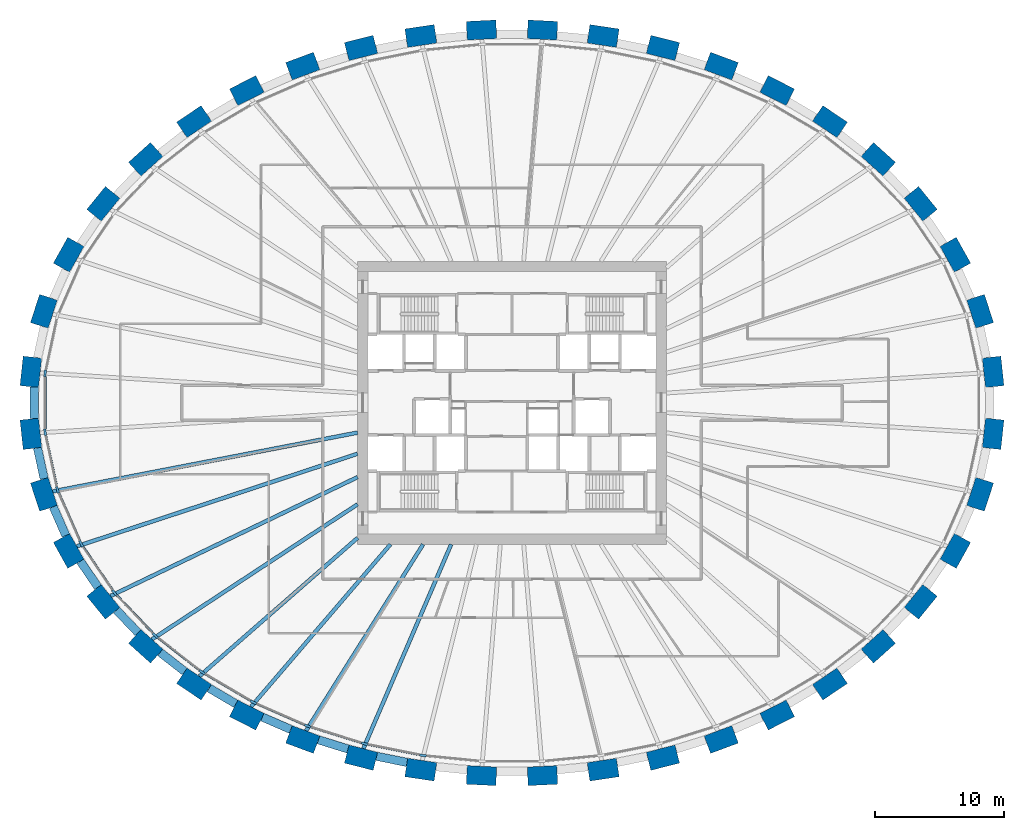
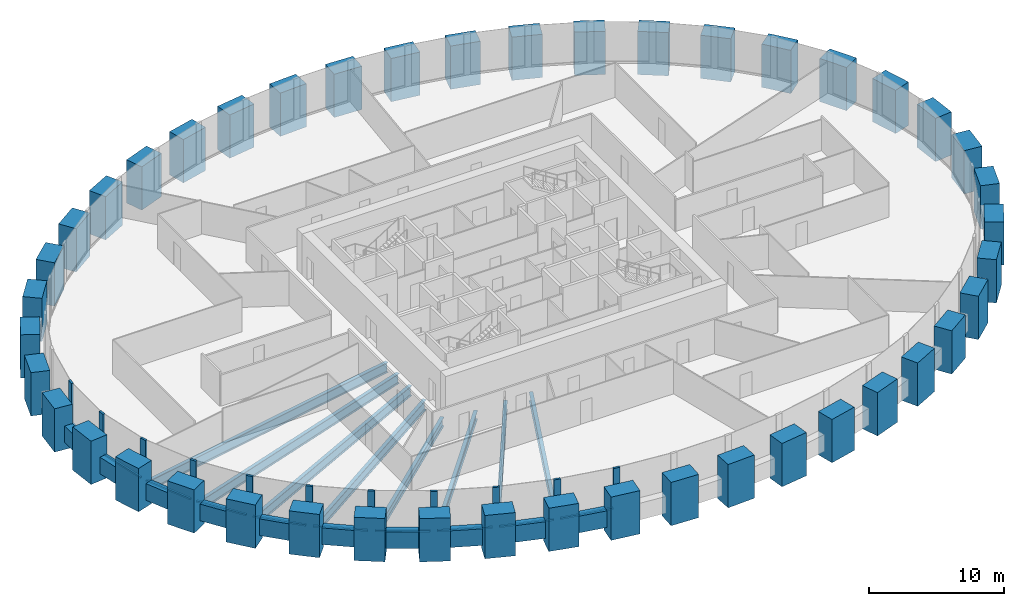
# One storey, part 1 of 10: 44 columns, 21 members, 18 beams, 1 element without a shape of its own.
"""IFC4 building model written with IfcOpenShell, lengths in metres."""

import ifcopenshell
import ifcopenshell.guid

model = None  # the IFC model being written
_history = None  # IfcOwnerHistory: only IFC2X3 demands one
_inside = {}  # id of a spatial element -> (the spatial element, [elements in it])
_under = {}  # id of a project, library or spatial element -> (it, [spatial elements below it])
_declared = {}  # id of a project -> (the project, [libraries it declares])
_typed = {}  # id of a type object -> (the type object, [elements of that type])
_made_of = {}  # id of a material, layer set ... -> (it, [elements and type objects made of it])


def new_model(schema):
    """Start an empty IFC model of exactly this schema.

    Asked for "IFC4X3", IfcOpenShell would pick the latest addendum, in which some entities
    have other attributes; the version numbers below select the first issue.
    IFC2X3 requires an IfcOwnerHistory on every rooted entity: one is made here for all.
    """
    global model, _history
    if schema == "IFC4X3":
        model = ifcopenshell.file(schema_version=(4, 3, 0, 0))
    else:
        model = ifcopenshell.file(schema=schema)
    _inside.clear()
    _under.clear()
    _declared.clear()
    _typed.clear()
    _made_of.clear()
    _history = None
    if model.schema == "IFC2X3":
        org = make("IfcOrganization", Name="unknown")
        user = make(
            "IfcPersonAndOrganization",
            ThePerson=make("IfcPerson", FamilyName="unknown"),
            TheOrganization=org,
        )
        app = make(
            "IfcApplication",
            ApplicationDeveloper=org,
            Version="unknown",
            ApplicationFullName="unknown",
            ApplicationIdentifier="unknown",
        )
        _history = make(
            "IfcOwnerHistory",
            OwningUser=user,
            OwningApplication=app,
            ChangeAction="ADDED",
            CreationDate=0,
        )
    return model


def make(cls, **values):
    """One entity of the class cls with the attributes given. An attribute that is None is left unset."""
    return model.create_entity(
        cls, **{name: value for name, value in values.items() if value is not None}
    )


def rooted(cls, **values):
    """An entity with a GlobalId (a new one), such as an element, a storey or a relation."""
    return make(cls, GlobalId=ifcopenshell.guid.new(), OwnerHistory=_history, **values)


def si_unit(unit_type, name, prefix=None):
    """IfcSIUnit, for example si_unit("LENGTHUNIT", "METRE", prefix="MILLI")."""
    return make("IfcSIUnit", UnitType=unit_type, Prefix=prefix, Name=name)


def assignment(units):
    """IfcUnitAssignment: the units of a project."""
    return None if units is None else make("IfcUnitAssignment", Units=units)


def point(xyz):
    """IfcCartesianPoint."""
    return None if xyz is None else make("IfcCartesianPoint", Coordinates=xyz)


def direction(xyz):
    """IfcDirection."""
    return None if xyz is None else make("IfcDirection", DirectionRatios=xyz)


def frame(location, z_axis=None, x_axis=None):
    """IfcAxis2Placement3D, a coordinate frame: its origin and axes. An axis left out is left unset."""
    return make(
        "IfcAxis2Placement3D",
        Location=point(location),
        Axis=direction(z_axis),
        RefDirection=direction(x_axis),
    )


def frame_2d(location, x_axis=None):
    """IfcAxis2Placement2D, a coordinate frame in the plane: its origin and x axis."""
    return make(
        "IfcAxis2Placement2D", Location=point(location), RefDirection=direction(x_axis)
    )


def origin():
    """The frame at (0, 0, 0) with its axes left unset."""
    return frame((0.0, 0.0, 0.0))


def origin_2d():
    """The frame at (0, 0) in the plane with its x axis left unset."""
    return frame_2d((0.0, 0.0))


def place(relative_to, where):
    """IfcLocalPlacement: puts the frame where relative to a parent placement (None: the world)."""
    return make(
        "IfcLocalPlacement", PlacementRelTo=relative_to, RelativePlacement=where
    )


def context(
    kind, dimensions, precision=None, world=None, true_north=None, identifier=None
):
    """IfcGeometricRepresentationContext, for example the 3D "Model" context."""
    return make(
        "IfcGeometricRepresentationContext",
        ContextIdentifier=identifier,
        ContextType=kind,
        CoordinateSpaceDimension=dimensions,
        Precision=precision,
        WorldCoordinateSystem=world,
        TrueNorth=true_north,
    )


def subcontext(parent, identifier, kind, view, scale=None):
    """IfcGeometricRepresentationSubContext, for example "Body" below "Model"."""
    return make(
        "IfcGeometricRepresentationSubContext",
        ContextIdentifier=identifier,
        ContextType=kind,
        ParentContext=parent,
        TargetScale=scale,
        TargetView=view,
    )


def project(units=None, contexts=None):
    """IfcProject with its units and contexts."""
    return rooted(
        "IfcProject",
        Name="project",
        RepresentationContexts=contexts,
        UnitsInContext=assignment(units),
    )


def spatial(cls, under=None, at=None, **own):
    """A site, building, storey or space (cls), placed at a placement, below another one or the project."""
    s = rooted(cls, ObjectPlacement=at, **own)
    if under is not None:
        _under.setdefault(under.id(), (under, []))[1].append(s)
    return s


def profile(cls, at=None, kind="AREA", **sizes):
    """A parametric profile (cls). Its sizes go by their IFC names, for example OverallWidth=200.0."""
    return make(cls, ProfileType=kind, Position=at, **sizes)


def rectangle(**sizes):
    """IfcRectangleProfileDef."""
    return profile("IfcRectangleProfileDef", **sizes)


def i_section(**sizes):
    """IfcIShapeProfileDef."""
    return profile("IfcIShapeProfileDef", **sizes)


def extrude(swept, where, along, depth):
    """IfcExtrudedAreaSolid: the profile swept, set in the frame where, extruded along a direction by depth."""
    return make(
        "IfcExtrudedAreaSolid",
        SweptArea=swept,
        Position=where,
        ExtrudedDirection=direction(along),
        Depth=depth,
    )


def shape(context_of_items, identifier, shape_type, items):
    """IfcShapeRepresentation: the items that make up one representation, for example the "Body"."""
    return make(
        "IfcShapeRepresentation",
        ContextOfItems=context_of_items,
        RepresentationIdentifier=identifier,
        RepresentationType=shape_type,
        Items=items,
    )


def source(mapping_origin, context_of_items, identifier, shape_type, items):
    """IfcRepresentationMap: a shape defined once, which mapped items show again and again."""
    return make(
        "IfcRepresentationMap",
        MappingOrigin=mapping_origin,
        MappedRepresentation=shape(context_of_items, identifier, shape_type, items),
    )


def transform(
    local_origin,
    x_axis=None,
    y_axis=None,
    z_axis=None,
    scale=None,
    scale2=None,
    scale3=None,
    uniform=True,
):
    """IfcCartesianTransformationOperator3D, or its non-uniform kind. x_axis, y_axis, z_axis: its Axis1, 2, 3."""
    if uniform:
        return make(
            "IfcCartesianTransformationOperator3D",
            Axis1=direction(x_axis),
            Axis2=direction(y_axis),
            LocalOrigin=point(local_origin),
            Scale=scale,
            Axis3=direction(z_axis),
        )
    return make(
        "IfcCartesianTransformationOperator3DnonUniform",
        Axis1=direction(x_axis),
        Axis2=direction(y_axis),
        LocalOrigin=point(local_origin),
        Scale=scale,
        Axis3=direction(z_axis),
        Scale2=scale2,
        Scale3=scale3,
    )


def mapped(mapping_source, mapping_target):
    """IfcMappedItem: shows the shape of a source again, moved by a transform."""
    return make(
        "IfcMappedItem", MappingSource=mapping_source, MappingTarget=mapping_target
    )


def material(Name=None, Category=None):
    """IfcMaterial."""
    return make("IfcMaterial", Name=Name, Category=Category)


def material_profile(
    of_material, cross_section, Name=None, Category=None, Priority=None
):
    """IfcMaterialProfile: a cross section and its material."""
    return make(
        "IfcMaterialProfile",
        Name=Name,
        Material=of_material,
        Profile=cross_section,
        Priority=Priority,
        Category=Category,
    )


def profile_set(profiles, Name=None, composite=None):
    """IfcMaterialProfileSet."""
    return make(
        "IfcMaterialProfileSet",
        Name=Name,
        MaterialProfiles=profiles,
        CompositeProfile=composite,
    )


def made_of(thing, what):
    """Note that an element or type object is made of a material, layer set ...; save() writes the relation."""
    if what is not None:
        _made_of.setdefault(what.id(), (what, []))[1].append(thing)
    return thing


def type_object(cls, material=None, **own):
    """A type object (cls), such as IfcWallType, which elements share."""
    return made_of(rooted(cls, **own), material)


def element(
    cls,
    number,
    at=None,
    inside=None,
    cuts=None,
    type_object=None,
    material=None,
    context=None,
    identifier="Body",
    shape_type=None,
    held_by="IfcProductDefinitionShape",
    body=None,
    shapes=None,
    **own,
):
    """One element of the class cls, such as IfcWall. Its Tag is "e" and its number.

    at: its placement. inside: the storey or other place that contains it. cuts: it is an
    opening in that element (IfcRelVoidsElement). A single representation is given by context,
    identifier, shape_type and body (its items); several are given by shapes. held_by: the class
    of the entity that holds the representations. save() writes the other relations.
    """
    e = rooted(cls, Tag="e%d" % number, ObjectPlacement=at, **own)
    if body is not None:
        shapes = [shape(context, identifier, shape_type, body)]
    if shapes is not None:
        e.Representation = make(held_by, Representations=shapes)
    if inside is not None:
        _inside.setdefault(inside.id(), (inside, []))[1].append(e)
    if cuts is not None:
        rooted(
            "IfcRelVoidsElement", RelatingBuildingElement=cuts, RelatedOpeningElement=e
        )
    if type_object is not None:
        _typed.setdefault(type_object.id(), (type_object, []))[1].append(e)
    return made_of(e, material)


def aggregate(whole, parts):
    """IfcRelAggregates: a whole, such as a stair, and the parts it consists of."""
    return rooted("IfcRelAggregates", RelatingObject=whole, RelatedObjects=parts)


def save(model, path):
    """Write the relations noted so far, then the file.

    IfcRelAggregates (storeys below a building ...), IfcRelContainedInSpatialStructure (elements
    in a storey), IfcRelDefinesByType, IfcRelAssociatesMaterial and IfcRelDeclares: one each for
    every whole, place, type object, material and project.
    """
    for whole, parts in _under.values():
        aggregate(whole, parts)
    for where, things in _inside.values():
        rooted(
            "IfcRelContainedInSpatialStructure",
            RelatedElements=things,
            RelatingStructure=where,
        )
    for kind, things in _typed.values():
        rooted("IfcRelDefinesByType", RelatedObjects=things, RelatingType=kind)
    for what, things in _made_of.values():
        rooted("IfcRelAssociatesMaterial", RelatedObjects=things, RelatingMaterial=what)
    for by, libraries in _declared.values():
        rooted("IfcRelDeclares", RelatingContext=by, RelatedDefinitions=libraries)
    model.write(path)


model = new_model("IFC4")

# Units and contexts
model_context = context("Model", 3, precision=1e-05, world=origin(), true_north=direction((0.0, 1.0)))
body_context = subcontext(model_context, "Body", "Model", "MODEL_VIEW")
ifc_project = project(units=[si_unit("LENGTHUNIT", "METRE"), si_unit("AREAUNIT", "SQUARE_METRE"), si_unit("VOLUMEUNIT", "CUBIC_METRE"), si_unit("PLANEANGLEUNIT", "RADIAN"), si_unit("MASSUNIT", "GRAM", prefix="KILO")], contexts=[model_context])

# Site, building, storey
site_placement = place(None, origin())
site = spatial("IfcSite", under=ifc_project, at=site_placement, CompositionType="ELEMENT")
building_placement = place(site_placement, origin())
building = spatial("IfcBuilding", under=site, at=building_placement, Name="Embergate Tower", CompositionType="ELEMENT")
storey_placement = place(building_placement, frame((0.0, 0.0, 167.699951171875)))
storey = spatial("IfcBuildingStorey", under=building, at=storey_placement, Name="L37", CompositionType="ELEMENT", Elevation=167.699951171875)

# Columns
ifc_material_1 = material(Name="Concrete C70", Category="concrete")
ifc_material_profile_1 = material_profile(ifc_material_1, rectangle(XDim=1.449951171875, YDim=2.300048828125, at=origin_2d()), Name="RC 1450x2300")
ifc_profile_set_1 = profile_set([ifc_material_profile_1], Name="Concrete C70")
column_type = type_object("IfcColumnType", Name="Ring column RC 1450x2300 C70", PredefinedType="COLUMN", material=ifc_profile_set_1)
shared_shape_1 = source(origin(), body_context, "Body", "SweptSolid", [
    extrude(rectangle(XDim=1.449951171875, YDim=2.300048828125, at=origin_2d()), origin(), (0.0, 0.0, 1.0), 3.89990234375),
])
for number, where, z_axis, x_axis, name in (
    (1, (37.389892578125, 2.406982421875, -1.39990234375), (0.0, 0.0, 1.0), (0.99428589498, 0.106749983816, 0.0), "COL-L37-00"),
    (2, (36.3779296875, 7.10888671875, -1.39990234375), (0.0, 0.0, 1.0), (0.950754033697, 0.309946394413, 0.0), "COL-L37-01"),
    (3, (34.449951171875, 11.5048828125, -1.39990234375), (0.0, 0.0, 1.0), (0.873491969053, 0.486838556403, 0.0), "COL-L37-02"),
    (4, (31.758056640625, 15.465087890625, -1.39990234375), (0.0, 0.0, 1.0), (0.775914301615, 0.630838328377, 0.0), "COL-L37-03"),
    (5, (28.462890625, 18.9208984375, -1.39990234375), (0.0, 0.0, 1.0), (0.669208424634, 0.74307475021, 0.0), "COL-L37-04"),
    (6, (24.70703125, 21.85205078125, -1.39990234375), (0.0, 0.0, 1.0), (0.560393279442, 0.828226643109, 0.0), "COL-L37-05"),
    (7, (20.60791015625, 24.261962890625, -1.39990234375), (0.0, 0.0, 1.0), (0.452994952881, 0.891513080478, 0.0), "COL-L37-06"),
    (8, (16.258056640625, 26.1640625, -1.39990234375), (0.0, 0.0, 1.0), (0.348343015724, 0.93736713373, 0.0), "COL-L37-07"),
    (9, (11.72998046875, 27.574951171875, -1.39990234375), (0.0, 0.0, 1.0), (0.246491603437, 0.969144926951, 0.0), "COL-L37-08"),
    (10, (7.0830078125, 28.507080078125, -1.39990234375), (0.0, 0.0, 1.0), (0.146929011949, 0.989147039346, 0.0), "COL-L37-09"),
    (11, (2.367919921875, 28.969970703125, -1.39990234375), (0.0, 0.0, 1.0), (0.048814904854, 0.998807841912, 0.0), "COL-L37-10"),
    (12, (-2.367919921875, 28.969970703125, -1.39990234375), (0.0, 0.0, 1.0), (-0.048814904854, 0.998807841912, 0.0), "COL-L37-11"),
    (13, (-7.0830078125, 28.507080078125, -1.39990234375), (0.0, 0.0, 1.0), (-0.146929011949, 0.989147039346, 0.0), "COL-L37-12"),
    (14, (-11.72998046875, 27.574951171875, -1.39990234375), (0.0, 0.0, 1.0), (-0.246491603437, 0.969144926951, 0.0), "COL-L37-13"),
    (15, (-16.258056640625, 26.1640625, -1.39990234375), (0.0, 0.0, 1.0), (-0.348343015724, 0.93736713373, 0.0), "COL-L37-14"),
    (16, (-20.60791015625, 24.261962890625, -1.39990234375), (0.0, 0.0, 1.0), (-0.452994952881, 0.891513080478, 0.0), "COL-L37-15"),
    (17, (-24.70703125, 21.85205078125, -1.39990234375), (0.0, 0.0, 1.0), (-0.560393279442, 0.828226643109, 0.0), "COL-L37-16"),
    (18, (-28.462890625, 18.9208984375, -1.39990234375), (0.0, 0.0, 1.0), (-0.669208424634, 0.74307475021, 0.0), "COL-L37-17"),
    (19, (-31.758056640625, 15.465087890625, -1.39990234375), (0.0, 0.0, 1.0), (-0.775914301615, 0.630838328377, 0.0), "COL-L37-18"),
    (20, (-34.449951171875, 11.5048828125, -1.39990234375), (0.0, 0.0, 1.0), (-0.873491969053, 0.486838556403, 0.0), "COL-L37-19"),
    (21, (-36.3779296875, 7.10888671875, -1.39990234375), (0.0, 0.0, 1.0), (-0.950754033697, 0.309946394413, 0.0), "COL-L37-20"),
    (22, (-37.389892578125, 2.406982421875, -1.39990234375), (0.0, 0.0, 1.0), (-0.99428589498, 0.106749983816, 0.0), "COL-L37-21"),
    (23, (-37.389892578125, -2.406982421875, -1.39990234375), (0.0, 0.0, 1.0), (-0.99428589498, -0.106749983816, 0.0), "COL-L37-22"),
    (24, (-36.3779296875, -7.10888671875, -1.39990234375), (0.0, 0.0, 1.0), (-0.950754033697, -0.309946394413, 0.0), "COL-L37-23"),
    (25, (-34.449951171875, -11.5048828125, -1.39990234375), (0.0, 0.0, 1.0), (-0.873491969053, -0.486838556403, 0.0), "COL-L37-24"),
    (26, (-31.758056640625, -15.465087890625, -1.39990234375), (0.0, 0.0, 1.0), (-0.775914301615, -0.630838328377, 0.0), "COL-L37-25"),
    (27, (-28.462890625, -18.9208984375, -1.39990234375), (0.0, 0.0, 1.0), (-0.669208424634, -0.74307475021, 0.0), "COL-L37-26"),
    (28, (-24.70703125, -21.85205078125, -1.39990234375), (0.0, 0.0, 1.0), (-0.560393279442, -0.828226643109, 0.0), "COL-L37-27"),
    (29, (-20.60791015625, -24.261962890625, -1.39990234375), (0.0, 0.0, 1.0), (-0.452994952881, -0.891513080478, 0.0), "COL-L37-28"),
    (30, (-16.258056640625, -26.1640625, -1.39990234375), (0.0, 0.0, 1.0), (-0.348343015724, -0.93736713373, 0.0), "COL-L37-29"),
    (31, (-11.72998046875, -27.574951171875, -1.39990234375), (0.0, 0.0, 1.0), (-0.246491603437, -0.969144926951, 0.0), "COL-L37-30"),
    (32, (-7.0830078125, -28.507080078125, -1.39990234375), (0.0, 0.0, 1.0), (-0.146929011949, -0.989147039346, 0.0), "COL-L37-31"),
    (33, (-2.367919921875, -28.969970703125, -1.39990234375), (0.0, 0.0, 1.0), (-0.048814904854, -0.998807841912, 0.0), "COL-L37-32"),
    (34, (2.367919921875, -28.969970703125, -1.39990234375), (0.0, 0.0, 1.0), (0.048814904854, -0.998807841912, 0.0), "COL-L37-33"),
    (35, (7.0830078125, -28.507080078125, -1.39990234375), (0.0, 0.0, 1.0), (0.146929011949, -0.989147039346, 0.0), "COL-L37-34"),
    (36, (11.72998046875, -27.574951171875, -1.39990234375), (0.0, 0.0, 1.0), (0.246491603437, -0.969144926951, 0.0), "COL-L37-35"),
    (37, (16.258056640625, -26.1640625, -1.39990234375), (0.0, 0.0, 1.0), (0.348343015724, -0.93736713373, 0.0), "COL-L37-36"),
    (38, (20.60791015625, -24.261962890625, -1.39990234375), (0.0, 0.0, 1.0), (0.452994952881, -0.891513080478, 0.0), "COL-L37-37"),
    (39, (24.70703125, -21.85205078125, -1.39990234375), (0.0, 0.0, 1.0), (0.560393279442, -0.828226643109, 0.0), "COL-L37-38"),
    (40, (28.462890625, -18.9208984375, -1.39990234375), (0.0, 0.0, 1.0), (0.669208424634, -0.74307475021, 0.0), "COL-L37-39"),
    (41, (31.758056640625, -15.465087890625, -1.39990234375), (0.0, 0.0, 1.0), (0.775914301615, -0.630838328377, 0.0), "COL-L37-40"),
    (42, (34.449951171875, -11.5048828125, -1.39990234375), (0.0, 0.0, 1.0), (0.873491969053, -0.486838556403, 0.0), "COL-L37-41"),
    (43, (36.3779296875, -7.10888671875, -1.39990234375), (0.0, 0.0, 1.0), (0.950754033697, -0.309946394413, 0.0), "COL-L37-42"),
    (44, (37.389892578125, -2.406982421875, -1.39990234375), (0.0, 0.0, 1.0), (0.99428589498, -0.106749983816, 0.0), "COL-L37-43"),
):
    element("IfcColumn", number, at=place(storey_placement, frame(where, z_axis=z_axis, x_axis=x_axis)), inside=storey, type_object=column_type, Name=name, PredefinedType="COLUMN", context=body_context, shape_type="MappedRepresentation", body=[
        mapped(shared_shape_1, transform((0.0, 0.0, 0.0))),
    ])

# Beams
ifc_material_profile_2 = material_profile(ifc_material_1, rectangle(XDim=0.64990234375, YDim=1.5, at=origin_2d()), Name="RC 650x1500")
ifc_profile_set_2 = profile_set([ifc_material_profile_2], Name="Concrete C70")
beam_type_1 = type_object("IfcBeamType", Name="Spandrel beam RC 650x1500 C70", PredefinedType="BEAM", material=ifc_profile_set_2)
shared_shape_2 = source(origin(), body_context, "Body", "SweptSolid", [
    extrude(rectangle(XDim=0.64990234375, YDim=1.5, at=origin_2d()), origin(), (0.0, 0.0, 1.0), 2.439697265625),
])
beam_1_placement = place(storey_placement, frame((-36.87109375, -3.508056640625, 0.0), z_axis=(0.210738503873, -0.977542471193, 0.0), x_axis=(0.977542471193, 0.210738503873, 0.0)))
element("IfcBeam", 45, at=beam_1_placement, inside=storey, type_object=beam_type_1, Name="SPN-L37-22", PredefinedType="BEAM", context=body_context, shape_type="MappedRepresentation", body=[
    mapped(shared_shape_2, transform((0.0, 0.0, 0.0))),
])
shared_shape_3 = source(origin(), body_context, "Body", "SweptSolid", [
    extrude(rectangle(XDim=0.64990234375, YDim=1.5, at=origin_2d()), origin(), (0.0, 0.0, 1.0), 2.436279296875),
])
beam_2_placement = place(storey_placement, frame((-35.64990234375, -8.0810546875, 0.0), z_axis=(0.401838418441, -0.915710590452, 0.0), x_axis=(0.915710590452, 0.401838418441, 0.0)))
element("IfcBeam", 46, at=beam_2_placement, inside=storey, type_object=beam_type_1, Name="SPN-L37-23", PredefinedType="BEAM", context=body_context, shape_type="MappedRepresentation", body=[
    mapped(shared_shape_3, transform((0.0, 0.0, 0.0))),
])
shared_shape_4 = source(origin(), body_context, "Body", "SweptSolid", [
    extrude(rectangle(XDim=0.64990234375, YDim=1.5, at=origin_2d()), origin(), (0.0, 0.0, 1.0), 2.42724609375),
])
beam_3_placement = place(storey_placement, frame((-33.5400390625, -12.31494140625, 0.0), z_axis=(0.562359541569, -0.826892826191, 0.0), x_axis=(0.826892826191, 0.562359541569, 0.0)))
element("IfcBeam", 47, at=beam_3_placement, inside=storey, type_object=beam_type_1, Name="SPN-L37-24", PredefinedType="BEAM", context=body_context, shape_type="MappedRepresentation", body=[
    mapped(shared_shape_4, transform((0.0, 0.0, 0.0))),
])
shared_shape_5 = source(origin(), body_context, "Body", "SweptSolid", [
    extrude(rectangle(XDim=0.64990234375, YDim=1.5, at=origin_2d()), origin(), (0.0, 0.0, 1.0), 2.421630859375),
])
beam_4_placement = place(storey_placement, frame((-30.72998046875, -16.111083984375, 0.0), z_axis=(0.68996725843, -0.723840577955, 0.0), x_axis=(0.723840577955, 0.68996725843, 0.0)))
element("IfcBeam", 48, at=beam_4_placement, inside=storey, type_object=beam_type_1, Name="SPN-L37-25", PredefinedType="BEAM", context=body_context, shape_type="MappedRepresentation", body=[
    mapped(shared_shape_5, transform((0.0, 0.0, 0.0))),
])
shared_shape_6 = source(origin(), body_context, "Body", "SweptSolid", [
    extrude(rectangle(XDim=0.64990234375, YDim=1.5, at=origin_2d()), origin(), (0.0, 0.0, 1.0), 2.415283203125),
])
beam_5_placement = place(storey_placement, frame((-27.341064453125, -19.39306640625, 0.0), z_axis=(0.788366005977, -0.61520650242, 0.0), x_axis=(0.61520650242, 0.788366005977, 0.0)))
element("IfcBeam", 49, at=beam_5_placement, inside=storey, type_object=beam_type_1, Name="SPN-L37-26", PredefinedType="BEAM", context=body_context, shape_type="MappedRepresentation", body=[
    mapped(shared_shape_6, transform((0.0, 0.0, 0.0))),
])
shared_shape_7 = source(origin(), body_context, "Body", "SweptSolid", [
    extrude(rectangle(XDim=0.64990234375, YDim=1.5, at=origin_2d()), origin(), (0.0, 0.0, 1.0), 2.41015625),
])
beam_6_placement = place(storey_placement, frame((-23.534912109375, -22.172119140625, 0.0), z_axis=(0.862176302717, -0.506608352707, 0.0), x_axis=(0.506608352707, 0.862176302717, 0.0)))
element("IfcBeam", 50, at=beam_6_placement, inside=storey, type_object=beam_type_1, Name="SPN-L37-27", PredefinedType="BEAM", context=body_context, shape_type="MappedRepresentation", body=[
    mapped(shared_shape_7, transform((0.0, 0.0, 0.0))),
])
shared_shape_8 = source(origin(), body_context, "Body", "SweptSolid", [
    extrude(rectangle(XDim=0.64990234375, YDim=1.5, at=origin_2d()), origin(), (0.0, 0.0, 1.0), 2.405029296875),
])
beam_7_placement = place(storey_placement, frame((-19.39892578125, -24.4208984375, 0.0), z_axis=(0.916318010886, -0.400451373983, 0.0), x_axis=(0.400451373983, 0.916318010886, 0.0)))
element("IfcBeam", 51, at=beam_7_placement, inside=storey, type_object=beam_type_1, Name="SPN-L37-28", PredefinedType="BEAM", context=body_context, shape_type="MappedRepresentation", body=[
    mapped(shared_shape_8, transform((0.0, 0.0, 0.0))),
])
shared_shape_9 = source(origin(), body_context, "Body", "SweptSolid", [
    extrude(rectangle(XDim=0.64990234375, YDim=1.5, at=origin_2d()), origin(), (0.0, 0.0, 1.0), 2.40283203125),
])
beam_8_placement = place(storey_placement, frame((-15.0400390625, -26.18798828125, 0.0), z_axis=(0.954689462561, -0.297603813946, 0.0), x_axis=(0.297603813946, 0.954689462561, 0.0)))
element("IfcBeam", 52, at=beam_8_placement, inside=storey, type_object=beam_type_1, Name="SPN-L37-29", PredefinedType="BEAM", context=body_context, shape_type="MappedRepresentation", body=[
    mapped(shared_shape_9, transform((0.0, 0.0, 0.0))),
])
shared_shape_10 = source(origin(), body_context, "Body", "SweptSolid", [
    extrude(rectangle(XDim=0.64990234375, YDim=1.5, at=origin_2d()), origin(), (0.0, 0.0, 1.0), 2.402099609375),
])
beam_9_placement = place(storey_placement, frame((-10.51708984375, -27.471923828125, 0.0), z_axis=(0.980408294351, -0.196976080702, 0.0), x_axis=(0.196976080702, 0.980408294351, 0.0)))
element("IfcBeam", 53, at=beam_9_placement, inside=storey, type_object=beam_type_1, Name="SPN-L37-30", PredefinedType="BEAM", context=body_context, shape_type="MappedRepresentation", body=[
    mapped(shared_shape_10, transform((0.0, 0.0, 0.0))),
])
shared_shape_11 = source(origin(), body_context, "Body", "SweptSolid", [
    extrude(rectangle(XDim=0.64990234375, YDim=1.5, at=origin_2d()), origin(), (0.0, 0.0, 1.0), 2.44189453125),
])
beam_10_placement = place(storey_placement, frame((-37.114013671875, 1.220947265625, 0.0), z_axis=(0.0, -1.0, 0.0), x_axis=(1.0, 0.0, 0.0)))
element("IfcBeam", 54, at=beam_10_placement, inside=storey, type_object=beam_type_1, Name="SPN-L37-21", PredefinedType="BEAM", context=body_context, shape_type="MappedRepresentation", body=[
    mapped(shared_shape_11, transform((0.0, 0.0, 0.0))),
])
ifc_material_2 = material(Name="Steel Q355B", Category="steel")
ifc_material_profile_3 = material_profile(ifc_material_2, i_section(OverallWidth=0.300048828125, OverallDepth=0.89990234375, WebThickness=0.01611328125, FlangeThickness=0.028076171875, FilletRadius=0.028076171875, at=origin_2d()), Name="HN 900x300x16x28")
ifc_profile_set_3 = profile_set([ifc_material_profile_3], Name="Steel Q355 grade B")
beam_type_2 = type_object("IfcBeamType", Name="Radial girder HN 900x300x16x28", PredefinedType="BEAM", material=ifc_profile_set_3)
shared_shape_12 = source(origin(), body_context, "Body", "SweptSolid", [
    extrude(i_section(OverallWidth=0.300048828125, OverallDepth=0.89990234375, WebThickness=0.01611328125, FlangeThickness=0.028076171875, FilletRadius=0.028076171875, at=origin_2d()), origin(), (0.0, 0.0, 1.0), 24.12548828125),
])
beam_11_placement = place(storey_placement, frame((-35.68896484375, -6.884033203125, -0.64990234375), z_axis=(0.981902359672, 0.189387845628, 0.0), x_axis=(-0.189387845628, 0.981902359672, 0.0)))
element("IfcBeam", 55, at=beam_11_placement, inside=storey, type_object=beam_type_2, Name="GIR-L37-23", PredefinedType="BEAM", context=body_context, shape_type="MappedRepresentation", body=[
    mapped(shared_shape_12, transform((0.0, 0.0, 0.0))),
])
shared_shape_13 = source(origin(), body_context, "Body", "SweptSolid", [
    extrude(i_section(OverallWidth=0.300048828125, OverallDepth=0.89990234375, WebThickness=0.01611328125, FlangeThickness=0.028076171875, FilletRadius=0.028076171875, at=origin_2d()), origin(), (0.0, 0.0, 1.0), 22.97265625),
])
beam_12_placement = place(storey_placement, frame((-33.81689453125, -11.152099609375, -0.64990234375), z_axis=(0.949687014879, 0.313200532838, 0.0), x_axis=(-0.313200532838, 0.949687014879, 0.0)))
element("IfcBeam", 56, at=beam_12_placement, inside=storey, type_object=beam_type_2, Name="GIR-L37-24", PredefinedType="BEAM", context=body_context, shape_type="MappedRepresentation", body=[
    mapped(shared_shape_13, transform((0.0, 0.0, 0.0))),
])
shared_shape_14 = source(origin(), body_context, "Body", "SweptSolid", [
    extrude(i_section(OverallWidth=0.300048828125, OverallDepth=0.89990234375, WebThickness=0.01611328125, FlangeThickness=0.028076171875, FilletRadius=0.028076171875, at=origin_2d()), origin(), (0.0, 0.0, 1.0), 21.301025390625),
])
beam_13_placement = place(storey_placement, frame((-31.195068359375, -15.008056640625, -0.64990234375), z_axis=(0.901129390798, 0.433550252035, 0.0), x_axis=(-0.433550252035, 0.901129390798, 0.0)))
element("IfcBeam", 57, at=beam_13_placement, inside=storey, type_object=beam_type_2, Name="GIR-L37-25", PredefinedType="BEAM", context=body_context, shape_type="MappedRepresentation", body=[
    mapped(shared_shape_14, transform((0.0, 0.0, 0.0))),
])
shared_shape_15 = source(origin(), body_context, "Body", "SweptSolid", [
    extrude(i_section(OverallWidth=0.300048828125, OverallDepth=0.89990234375, WebThickness=0.01611328125, FlangeThickness=0.028076171875, FilletRadius=0.028076171875, at=origin_2d()), origin(), (0.0, 0.0, 1.0), 19.1181640625),
])
beam_14_placement = place(storey_placement, frame((-27.97802734375, -18.382080078125, -0.64990234375), z_axis=(0.835748679781, 0.549112141775, 0.0), x_axis=(-0.549112141775, 0.835748679781, 0.0)))
element("IfcBeam", 58, at=beam_14_placement, inside=storey, type_object=beam_type_2, Name="GIR-L37-26", PredefinedType="BEAM", context=body_context, shape_type="MappedRepresentation", body=[
    mapped(shared_shape_15, transform((0.0, 0.0, 0.0))),
])
ifc_material_profile_4 = material_profile(ifc_material_2, i_section(OverallWidth=0.300048828125, OverallDepth=0.800048828125, WebThickness=0.013916015625, FlangeThickness=0.02587890625, FilletRadius=0.028076171875, at=origin_2d()), Name="HN 800x300x14x26")
ifc_profile_set_4 = profile_set([ifc_material_profile_4], Name="Steel Q355 grade B")
beam_type_3 = type_object("IfcBeamType", Name="Radial girder HN 800x300x14x26", PredefinedType="BEAM", material=ifc_profile_set_4)
shared_shape_16 = source(origin(), body_context, "Body", "SweptSolid", [
    extrude(i_section(OverallWidth=0.300048828125, OverallDepth=0.800048828125, WebThickness=0.013916015625, FlangeThickness=0.02587890625, FilletRadius=0.028076171875, at=origin_2d()), origin(), (0.0, 0.0, 1.0), 16.341796875),
])
beam_15_placement = place(storey_placement, frame((-24.301025390625, -21.251953125, -0.599853515625), z_axis=(0.752738629267, 0.65831949387, 0.0), x_axis=(-0.65831949387, 0.752738629267, 0.0)))
element("IfcBeam", 59, at=beam_15_placement, inside=storey, type_object=beam_type_3, Name="GIR-L37-27", PredefinedType="BEAM", context=body_context, shape_type="MappedRepresentation", body=[
    mapped(shared_shape_16, transform((0.0, 0.0, 0.0))),
])
shared_shape_17 = source(origin(), body_context, "Body", "SweptSolid", [
    extrude(i_section(OverallWidth=0.300048828125, OverallDepth=0.800048828125, WebThickness=0.013916015625, FlangeThickness=0.02587890625, FilletRadius=0.028076171875, at=origin_2d()), origin(), (0.0, 0.0, 1.0), 16.62939453125),
])
beam_16_placement = place(storey_placement, frame((-20.280029296875, -23.615966796875, -0.599853515625), z_axis=(0.651494757219, 0.758653136364, 0.0), x_axis=(-0.758653136364, 0.651494757219, 0.0)))
element("IfcBeam", 60, at=beam_16_placement, inside=storey, type_object=beam_type_3, Name="GIR-L37-28", PredefinedType="BEAM", context=body_context, shape_type="MappedRepresentation", body=[
    mapped(shared_shape_17, transform((0.0, 0.0, 0.0))),
])
shared_shape_18 = source(origin(), body_context, "Body", "SweptSolid", [
    extrude(i_section(OverallWidth=0.300048828125, OverallDepth=0.800048828125, WebThickness=0.013916015625, FlangeThickness=0.02587890625, FilletRadius=0.028076171875, at=origin_2d()), origin(), (0.0, 0.0, 1.0), 17.103271484375),
])
beam_17_placement = place(storey_placement, frame((-16.0048828125, -25.48388671875, -0.599853515625), z_axis=(0.531827416629, 0.846852761064, 0.0), x_axis=(-0.846852761064, 0.531827416629, 0.0)))
element("IfcBeam", 61, at=beam_17_placement, inside=storey, type_object=beam_type_3, Name="GIR-L37-29", PredefinedType="BEAM", context=body_context, shape_type="MappedRepresentation", body=[
    mapped(shared_shape_18, transform((0.0, 0.0, 0.0))),
])
shared_shape_19 = source(origin(), body_context, "Body", "SweptSolid", [
    extrude(i_section(OverallWidth=0.300048828125, OverallDepth=0.800048828125, WebThickness=0.013916015625, FlangeThickness=0.02587890625, FilletRadius=0.028076171875, at=origin_2d()), origin(), (0.0, 0.0, 1.0), 17.2763671875),
])
beam_18_placement = place(storey_placement, frame((-11.551025390625, -26.8720703125, -0.599853515625), z_axis=(0.394930430289, 0.918711029232, 0.0), x_axis=(-0.918711029232, 0.394930430289, 0.0)))
element("IfcBeam", 62, at=beam_18_placement, inside=storey, type_object=beam_type_3, Name="GIR-L37-30", PredefinedType="BEAM", context=body_context, shape_type="MappedRepresentation", body=[
    mapped(shared_shape_19, transform((0.0, 0.0, 0.0))),
])

# Curtain wall, members
ifc_material_3 = material(Name="Aluminium and glass", Category="aluminium")
curtain_wall_type = type_object("IfcCurtainWallType", Name="Recessed office glazing", PredefinedType="NOTDEFINED", material=ifc_material_3)
curtain_wall_placement = place(storey_placement, origin())
curtain_wall = element("IfcCurtainWall", 63, at=curtain_wall_placement, inside=storey, type_object=curtain_wall_type, Name="Recessed office glazing ring", ObjectType="RECESSED OFFICE GLAZING", PredefinedType="USERDEFINED")
ifc_material_4 = material(Name="Aluminium, thermally broken", Category="aluminium")
ifc_material_profile_5 = material_profile(ifc_material_4, rectangle(XDim=0.179931640625, YDim=0.52001953125, at=origin_2d()), Name="AL 520x180")
ifc_profile_set_5 = profile_set([ifc_material_profile_5], Name="Aluminium, thermally broken")
member_type_1 = type_object("IfcMemberType", Name="Office mullion", PredefinedType="MULLION", material=ifc_profile_set_5)
shared_shape_20 = source(origin(), body_context, "Body", "SweptSolid", [
    extrude(rectangle(XDim=0.179931640625, YDim=0.52001953125, at=origin_2d()), origin(), (0.0, 0.0, 1.0), 3.699951171875),
])
member_1_placement = place(storey_placement, frame((-36.281494140625, 2.287841796875, 0.0), z_axis=(0.0, 0.0, 1.0), x_axis=(0.994384954736, -0.105823257345, 0.0)))
member_1 = element("IfcMember", 64, at=member_1_placement, type_object=member_type_1, Name="CW mullion 22", PredefinedType="MULLION", context=body_context, shape_type="MappedRepresentation", body=[
    mapped(shared_shape_20, transform((0.0, 0.0, 0.0))),
])
member_2_placement = place(storey_placement, frame((-36.281494140625, -2.287841796875, 0.0), z_axis=(0.0, 0.0, 1.0), x_axis=(0.994384954736, 0.105823257345, 0.0)))
member_2 = element("IfcMember", 65, at=member_2_placement, type_object=member_type_1, Name="CW mullion 23", PredefinedType="MULLION", context=body_context, shape_type="MappedRepresentation", body=[
    mapped(shared_shape_20, transform((0.0, 0.0, 0.0))),
])
member_3_placement = place(storey_placement, frame((-35.318115234375, -6.763427734375, 0.0), z_axis=(0.0, 0.0, 1.0), x_axis=(0.951497797992, 0.307655554826, 0.0)))
member_3 = element("IfcMember", 66, at=member_3_placement, type_object=member_type_1, Name="CW mullion 24", PredefinedType="MULLION", context=body_context, shape_type="MappedRepresentation", body=[
    mapped(shared_shape_20, transform((0.0, 0.0, 0.0))),
])
member_4_placement = place(storey_placement, frame((-33.4765625, -10.96240234375, 0.0), z_axis=(0.0, 0.0, 1.0), x_axis=(0.875001895832, 0.484119491748, 0.0)))
member_4 = element("IfcMember", 67, at=member_4_placement, type_object=member_type_1, Name="CW mullion 25", PredefinedType="MULLION", context=body_context, shape_type="MappedRepresentation", body=[
    mapped(shared_shape_20, transform((0.0, 0.0, 0.0))),
])
member_5_placement = place(storey_placement, frame((-30.89306640625, -14.76123046875, 0.0), z_axis=(0.0, 0.0, 1.0), x_axis=(0.777872564355, 0.628422050555, 0.0)))
member_5 = element("IfcMember", 68, at=member_5_placement, type_object=member_type_1, Name="CW mullion 26", PredefinedType="MULLION", context=body_context, shape_type="MappedRepresentation", body=[
    mapped(shared_shape_20, transform((0.0, 0.0, 0.0))),
])
member_6_placement = place(storey_placement, frame((-27.716796875, -18.092041015625, 0.0), z_axis=(0.0, 0.0, 1.0), x_axis=(0.671226533956, 0.741252278319, 0.0)))
member_6 = element("IfcMember", 69, at=member_6_placement, type_object=member_type_1, Name="CW mullion 27", PredefinedType="MULLION", context=body_context, shape_type="MappedRepresentation", body=[
    mapped(shared_shape_20, transform((0.0, 0.0, 0.0))),
])
member_7_placement = place(storey_placement, frame((-24.08251953125, -20.9287109375, 0.0), z_axis=(0.0, 0.0, 1.0), x_axis=(0.562216175174, 0.826990309721, 0.0)))
member_7 = element("IfcMember", 70, at=member_7_placement, type_object=member_type_1, Name="CW mullion 28", PredefinedType="MULLION", context=body_context, shape_type="MappedRepresentation", body=[
    mapped(shared_shape_20, transform((0.0, 0.0, 0.0))),
])
member_8_placement = place(storey_placement, frame((-20.103271484375, -23.26806640625, 0.0), z_axis=(0.0, 0.0, 1.0), x_axis=(0.454509825889, 0.890741723605, 0.0)))
member_8 = element("IfcMember", 71, at=member_8_placement, type_object=member_type_1, Name="CW mullion 29", PredefinedType="MULLION", context=body_context, shape_type="MappedRepresentation", body=[
    mapped(shared_shape_20, transform((0.0, 0.0, 0.0))),
])
member_9_placement = place(storey_placement, frame((-15.86962890625, -25.119384765625, 0.0), z_axis=(0.0, 0.0, 1.0), x_axis=(0.349502682851, 0.936935363128, 0.0)))
member_9 = element("IfcMember", 72, at=member_9_placement, type_object=member_type_1, Name="CW mullion 30", PredefinedType="MULLION", context=body_context, shape_type="MappedRepresentation", body=[
    mapped(shared_shape_20, transform((0.0, 0.0, 0.0))),
])
member_10_placement = place(storey_placement, frame((-11.454833984375, -26.494140625, 0.0), z_axis=(0.0, 0.0, 1.0), x_axis=(0.24731188137, 0.968935928394, 0.0)))
member_10 = element("IfcMember", 73, at=member_10_placement, type_object=member_type_1, Name="CW mullion 31", PredefinedType="MULLION", context=body_context, shape_type="MappedRepresentation", body=[
    mapped(shared_shape_20, transform((0.0, 0.0, 0.0))),
])
member_11_placement = place(storey_placement, frame((-6.919189453125, -27.40380859375, 0.0), z_axis=(0.0, 0.0, 1.0), x_axis=(0.147412382818, 0.989075118174, 0.0)))
member_11 = element("IfcMember", 74, at=member_11_placement, type_object=member_type_1, Name="CW mullion 32", PredefinedType="MULLION", context=body_context, shape_type="MappedRepresentation", body=[
    mapped(shared_shape_20, transform((0.0, 0.0, 0.0))),
])
ifc_material_profile_6 = material_profile(ifc_material_4, rectangle(XDim=0.179931640625, YDim=0.14990234375, at=origin_2d()), Name="AL 150x180")
ifc_profile_set_6 = profile_set([ifc_material_profile_6], Name="Aluminium, thermally broken")
member_type_2 = type_object("IfcMemberType", Name="Office sill transom", PredefinedType="USERDEFINED", material=ifc_profile_set_6)
shared_shape_21 = source(origin(), body_context, "Body", "SweptSolid", [
    extrude(rectangle(XDim=0.179931640625, YDim=0.14990234375, at=origin_2d()), origin(), (0.0, 0.0, 1.0), 4.05810546875),
])
member_12_placement = place(storey_placement, frame((-36.226806640625, -2.5419921875, 0.074951171875), z_axis=(0.210441087969, -0.977606540738, 0.0), x_axis=(0.977606540738, 0.210441087969, 0.0)))
member_12 = element("IfcMember", 75, at=member_12_placement, type_object=member_type_2, Name="CW transom 23.1", ObjectType="TRANSOM", PredefinedType="USERDEFINED", context=body_context, shape_type="MappedRepresentation", body=[
    mapped(shared_shape_21, transform((0.0, 0.0, 0.0))),
])
shared_shape_22 = source(origin(), body_context, "Body", "SweptSolid", [
    extrude(rectangle(XDim=0.179931640625, YDim=0.14990234375, at=origin_2d()), origin(), (0.0, 0.0, 1.0), 4.06494140625),
])
member_13_placement = place(storey_placement, frame((-35.213623046875, -7.001708984375, 0.074951171875), z_axis=(0.401675633899, -0.91578200743, 0.0), x_axis=(0.91578200743, 0.401675633899, 0.0)))
member_13 = element("IfcMember", 76, at=member_13_placement, type_object=member_type_2, Name="CW transom 24.1", ObjectType="TRANSOM", PredefinedType="USERDEFINED", context=body_context, shape_type="MappedRepresentation", body=[
    mapped(shared_shape_22, transform((0.0, 0.0, 0.0))),
])
shared_shape_23 = source(origin(), body_context, "Body", "SweptSolid", [
    extrude(rectangle(XDim=0.179931640625, YDim=0.14990234375, at=origin_2d()), origin(), (0.0, 0.0, 1.0), 4.073974609375),
])
member_14_placement = place(storey_placement, frame((-33.330322265625, -11.177490234375, 0.074951171875), z_axis=(0.562337885641, -0.826907553704, 0.0), x_axis=(0.826907553704, 0.562337885641, 0.0)))
member_14 = element("IfcMember", 77, at=member_14_placement, type_object=member_type_2, Name="CW transom 25.1", ObjectType="TRANSOM", PredefinedType="USERDEFINED", context=body_context, shape_type="MappedRepresentation", body=[
    mapped(shared_shape_23, transform((0.0, 0.0, 0.0))),
])
shared_shape_24 = source(origin(), body_context, "Body", "SweptSolid", [
    extrude(rectangle(XDim=0.179931640625, YDim=0.14990234375, at=origin_2d()), origin(), (0.0, 0.0, 1.0), 4.082763671875),
])
member_15_placement = place(storey_placement, frame((-30.713623046875, -14.949462890625, 0.074951171875), z_axis=(0.690134333582, -0.723681284552, 0.0), x_axis=(0.723681284552, 0.690134333582, 0.0)))
member_15 = element("IfcMember", 78, at=member_15_placement, type_object=member_type_2, Name="CW transom 26.1", ObjectType="TRANSOM", PredefinedType="USERDEFINED", context=body_context, shape_type="MappedRepresentation", body=[
    mapped(shared_shape_24, transform((0.0, 0.0, 0.0))),
])
shared_shape_25 = source(origin(), body_context, "Body", "SweptSolid", [
    extrude(rectangle(XDim=0.179931640625, YDim=0.14990234375, at=origin_2d()), origin(), (0.0, 0.0, 1.0), 4.090087890625),
])
member_16_placement = place(storey_placement, frame((-27.51171875, -18.252197265625, 0.074951171875), z_axis=(0.788341910095, -0.615237379219, 0.0), x_axis=(0.615237379219, 0.788341910095, 0.0)))
member_16 = element("IfcMember", 79, at=member_16_placement, type_object=member_type_2, Name="CW transom 27.1", ObjectType="TRANSOM", PredefinedType="USERDEFINED", context=body_context, shape_type="MappedRepresentation", body=[
    mapped(shared_shape_25, transform((0.0, 0.0, 0.0))),
])
shared_shape_26 = source(origin(), body_context, "Body", "SweptSolid", [
    extrude(rectangle(XDim=0.179931640625, YDim=0.14990234375, at=origin_2d()), origin(), (0.0, 0.0, 1.0), 4.095947265625),
])
member_17_placement = place(storey_placement, frame((-23.8583984375, -21.060302734375, 0.074951171875), z_axis=(0.86205523764, -0.506814332134, 0.0), x_axis=(0.506814332134, 0.86205523764, 0.0)))
member_17 = element("IfcMember", 80, at=member_17_placement, type_object=member_type_2, Name="CW transom 28.1", ObjectType="TRANSOM", PredefinedType="USERDEFINED", context=body_context, shape_type="MappedRepresentation", body=[
    mapped(shared_shape_26, transform((0.0, 0.0, 0.0))),
])
shared_shape_27 = source(origin(), body_context, "Body", "SweptSolid", [
    extrude(rectangle(XDim=0.179931640625, YDim=0.14990234375, at=origin_2d()), origin(), (0.0, 0.0, 1.0), 4.1005859375),
])
member_18_placement = place(storey_placement, frame((-19.864990234375, -23.372314453125, 0.074951171875), z_axis=(0.916237937351, -0.400634549382, 0.0), x_axis=(0.400634549382, 0.916237937351, 0.0)))
member_18 = element("IfcMember", 81, at=member_18_placement, type_object=member_type_2, Name="CW transom 29.1", ObjectType="TRANSOM", PredefinedType="USERDEFINED", context=body_context, shape_type="MappedRepresentation", body=[
    mapped(shared_shape_27, transform((0.0, 0.0, 0.0))),
])
shared_shape_28 = source(origin(), body_context, "Body", "SweptSolid", [
    extrude(rectangle(XDim=0.179931640625, YDim=0.14990234375, at=origin_2d()), origin(), (0.0, 0.0, 1.0), 4.103759765625),
])
member_19_placement = place(storey_placement, frame((-15.621337890625, -25.196533203125, 0.074951171875), z_axis=(0.954772738111, -0.297336540911, 0.0), x_axis=(0.297336540911, 0.954772738111, 0.0)))
member_19 = element("IfcMember", 82, at=member_19_placement, type_object=member_type_2, Name="CW transom 30.1", ObjectType="TRANSOM", PredefinedType="USERDEFINED", context=body_context, shape_type="MappedRepresentation", body=[
    mapped(shared_shape_28, transform((0.0, 0.0, 0.0))),
])
shared_shape_29 = source(origin(), body_context, "Body", "SweptSolid", [
    extrude(rectangle(XDim=0.179931640625, YDim=0.14990234375, at=origin_2d()), origin(), (0.0, 0.0, 1.0), 4.10595703125),
])
member_20_placement = place(storey_placement, frame((-11.199951171875, -26.54541015625, 0.074951171875), z_axis=(0.980477631016, -0.196630656505, 0.0), x_axis=(0.196630656505, 0.980477631016, 0.0)))
member_20 = element("IfcMember", 83, at=member_20_placement, type_object=member_type_2, Name="CW transom 31.1", ObjectType="TRANSOM", PredefinedType="USERDEFINED", context=body_context, shape_type="MappedRepresentation", body=[
    mapped(shared_shape_29, transform((0.0, 0.0, 0.0))),
])
shared_shape_30 = source(origin(), body_context, "Body", "SweptSolid", [
    extrude(rectangle(XDim=0.179931640625, YDim=0.14990234375, at=origin_2d()), origin(), (0.0, 0.0, 1.0), 4.0556640625),
])
member_21_placement = place(storey_placement, frame((-36.281494140625, 2.02783203125, 0.074951171875), z_axis=(0.0, -1.0, 0.0), x_axis=(1.0, 0.0, 0.0)))
member_21 = element("IfcMember", 84, at=member_21_placement, type_object=member_type_2, Name="CW transom 22.1", ObjectType="TRANSOM", PredefinedType="USERDEFINED", context=body_context, shape_type="MappedRepresentation", body=[
    mapped(shared_shape_30, transform((0.0, 0.0, 0.0))),
])
aggregate(curtain_wall, [member_1, member_2, member_3, member_4, member_5, member_6, member_7, member_8, member_9, member_10, member_11, member_21, member_12, member_13, member_14, member_15, member_16, member_17, member_18, member_19, member_20])

save(model, "model.ifc")
